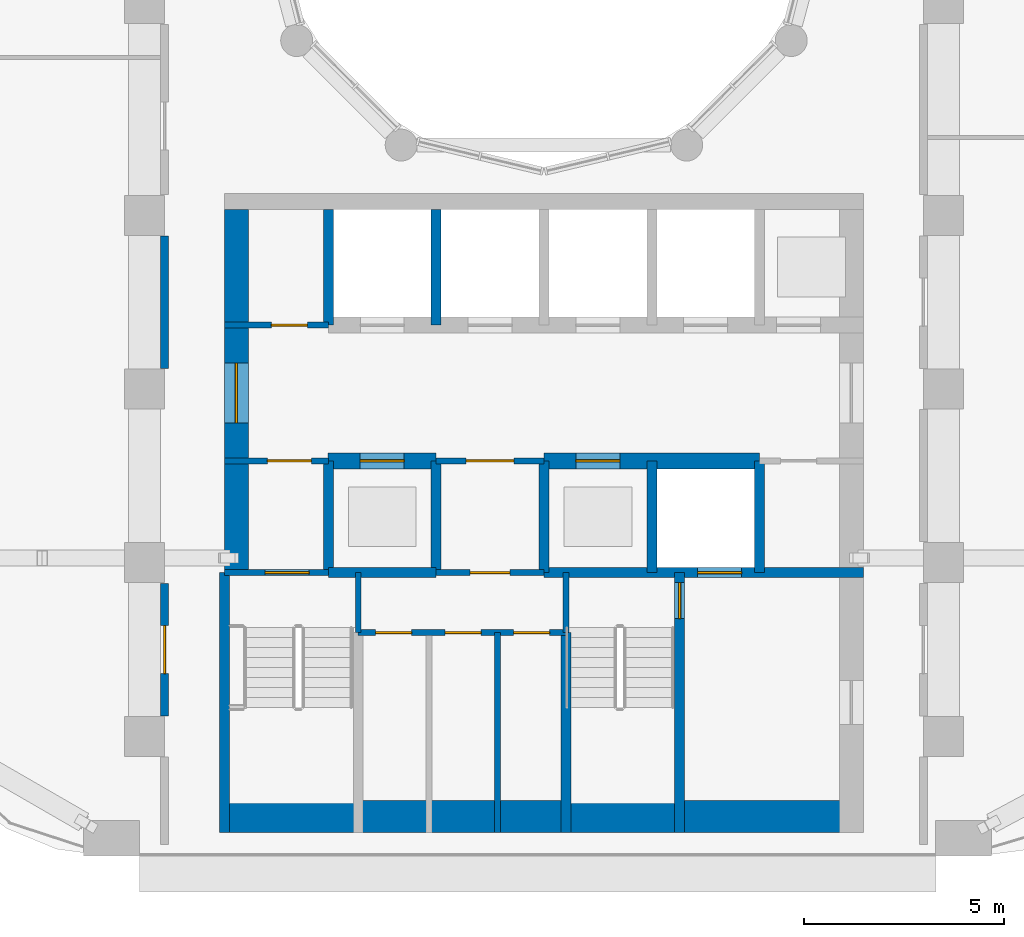
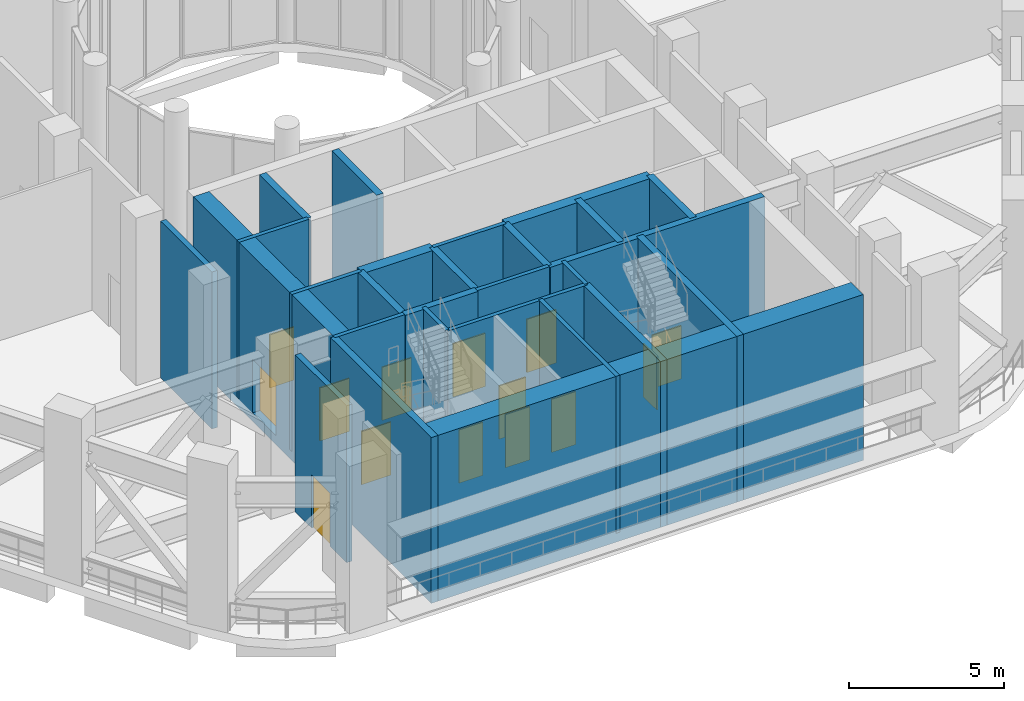
# One storey, part 8 of 21: 27 walls, 14 doors, 14 openings.
"""IFC4 building model written with IfcOpenShell, lengths in metres."""

from ifc_helpers import new_model, si_unit, direction, frame, frame_2d, origin, place, context, subcontext, project, spatial, rectangle, extrude, material, layer, layer_set, type_object, element, fill, save


model = new_model("IFC4")

# Units and contexts
model_context = context("Model", 3, precision=1e-05, world=origin(), true_north=direction((0.0, 1.0)))
body_context = subcontext(model_context, "Body", "Model", "MODEL_VIEW")
ifc_project = project(units=[si_unit("LENGTHUNIT", "METRE"), si_unit("AREAUNIT", "SQUARE_METRE"), si_unit("VOLUMEUNIT", "CUBIC_METRE"), si_unit("PLANEANGLEUNIT", "RADIAN"), si_unit("MASSUNIT", "GRAM", prefix="KILO")], contexts=[model_context])

# Site, building, storey
site_placement = place(None, origin())
site = spatial("IfcSite", under=ifc_project, at=site_placement, CompositionType="ELEMENT")
building_placement = place(site_placement, origin())
building = spatial("IfcBuilding", under=site, at=building_placement, Name="Nakaniwa Court", CompositionType="ELEMENT")
storey_placement = place(building_placement, frame((0.0, 0.0, 120.60009765625)))
storey = spatial("IfcBuildingStorey", under=building, at=storey_placement, Name="S2", CompositionType="ELEMENT", Elevation=120.60009765625)

# Wall, opening, door
ifc_material_1 = material(Name="Acoustic double stud partition")
ifc_layer_1 = layer(ifc_material_1, 0.199951171875)
ifc_layer_set_1 = layer_set([ifc_layer_1], Name="Acoustic double stud partition")
wall_type_1 = type_object("IfcWallType", Name="Acoustic double stud partition 200", PredefinedType="PARTITIONING", material=ifc_layer_set_1)
wall_1_placement = place(storey_placement, frame((70.5, 59.51708984375, 0.0), z_axis=(0.0, 0.0, 1.0), x_axis=(0.0, 1.0, 0.0)))
wall_1 = element("IfcWall", 1, at=wall_1_placement, inside=storey, type_object=wall_type_1, Name="Partition PW-079", PredefinedType="PARTITIONING", context=body_context, shape_type="SweptSolid", body=[
    extrude(rectangle(XDim=3.31591796875, YDim=0.199951171875, at=frame_2d((1.657958984375, 0.0))), origin(), (0.0, 0.0, 1.0), 6.18994140625),
])
opening_1_placement = place(wall_1_placement, frame((1.05810546875, 0.0, 0.0)))
opening_1 = element("IfcOpeningElement", 2, at=opening_1_placement, cuts=wall_1, Name="Opening D-35-03", PredefinedType="OPENING", context=body_context, shape_type="SweptSolid", body=[
    extrude(rectangle(XDim=1.199951171875, YDim=2.10009765625, at=frame_2d((0.60009765625, 1.050048828125))), frame((0.0, 0.10986328125, 0.0), z_axis=(0.0, -1.0, 0.0), x_axis=(1.0, 0.0, 0.0)), (0.0, 0.0, 1.0), 0.219970703125),
])
ifc_material_2 = material(Name="Fire rated steel door set", Category="steel")
door_type_1 = type_object("IfcDoorType", Name="Service room door 1200", OperationType="NOTDEFINED", PredefinedType="DOOR", material=ifc_material_2)
door_1_placement = place(opening_1_placement, origin())
door_1 = element("IfcDoor", 3, at=door_1_placement, inside=storey, type_object=door_type_1, Name="Door D-35-03 S2-026", OperationType="SINGLE_SWING_LEFT", OverallHeight=2.10009765625, OverallWidth=1.199951171875, PredefinedType="DOOR", context=body_context, shape_type="SweptSolid", body=[
    extrude(rectangle(XDim=1.199951171875, YDim=2.10009765625, at=frame_2d((0.60009765625, 1.050048828125))), frame((0.0, 0.02490234375, 0.0), z_axis=(0.0, -1.0, 0.0), x_axis=(1.0, 0.0, 0.0)), (0.0, 0.0, 1.0), 0.050048828125),
])
fill(opening_1, door_1)

# Wall
wall_2_placement = place(storey_placement, frame((70.5, 68.217041015625, 0.0), z_axis=(0.0, 0.0, 1.0), x_axis=(0.0, 1.0, 0.0)))
element("IfcWall", 4, at=wall_2_placement, inside=storey, type_object=wall_type_1, Name="Partition PW-080", PredefinedType="PARTITIONING", context=body_context, shape_type="SweptSolid", body=[
    extrude(rectangle(XDim=3.31591796875, YDim=0.199951171875, at=frame_2d((1.657958984375, 0.0))), origin(), (0.0, 0.0, 1.0), 6.18994140625),
])

# Wall, opening, door
ifc_material_3 = material(Name="Blockwork partition", Category="masonry")
ifc_layer_2 = layer(ifc_material_3, 0.14990234375)
ifc_layer_set_2 = layer_set([ifc_layer_2], Name="Blockwork partition")
wall_type_2 = type_object("IfcWallType", Name="Blockwork partition 150", PredefinedType="PARTITIONING", material=ifc_layer_set_2)
wall_3_placement = place(storey_placement, frame((72.0, 69.300048828125, 0.0), z_axis=(0.0, 0.0, 1.0), x_axis=(1.0, 0.0, 0.0)))
wall_3 = element("IfcWall", 5, at=wall_3_placement, inside=storey, type_object=wall_type_2, Name="Partition PW-035", PredefinedType="PARTITIONING", context=body_context, shape_type="SweptSolid", body=[
    extrude(rectangle(XDim=2.60009765625, YDim=0.14990234375, at=frame_2d((1.300048828125, 0.0))), origin(), (0.0, 0.0, 1.0), 6.18994140625),
])
opening_2_placement = place(wall_3_placement, frame((1.175048828125, 0.0, 0.0)))
opening_2 = element("IfcOpeningElement", 6, at=opening_2_placement, cuts=wall_3, Name="Opening D-05-06", PredefinedType="OPENING", context=body_context, shape_type="SweptSolid", body=[
    extrude(rectangle(XDim=0.89990234375, YDim=2.10009765625, at=frame_2d((0.449951171875, 1.050048828125))), frame((0.0, 0.0849609375, 0.0), z_axis=(0.0, -1.0, 0.0), x_axis=(1.0, 0.0, 0.0)), (0.0, 0.0, 1.0), 0.169921875),
])
door_type_2 = type_object("IfcDoorType", Name="Service room door 900", OperationType="NOTDEFINED", PredefinedType="DOOR", material=ifc_material_2)
door_2_placement = place(opening_2_placement, origin())
door_2 = element("IfcDoor", 7, at=door_2_placement, inside=storey, type_object=door_type_2, Name="Door D-05-06 S2-011", OperationType="SINGLE_SWING_RIGHT", OverallHeight=2.10009765625, OverallWidth=0.89990234375, PredefinedType="DOOR", context=body_context, shape_type="SweptSolid", body=[
    extrude(rectangle(XDim=0.89990234375, YDim=2.10009765625, at=frame_2d((0.449951171875, 1.050048828125))), frame((0.0, 0.02490234375, 0.0), z_axis=(0.0, -1.0, 0.0), x_axis=(1.0, 0.0, 0.0)), (0.0, 0.0, 1.0), 0.050048828125),
])
fill(opening_2, door_2)

wall_4_placement = place(storey_placement, frame((74.60302734375, 65.89990234375, 0.0), z_axis=(0.0, 0.0, 1.0), x_axis=(-1.0, 0.0, 0.0)))
wall_4 = element("IfcWall", 8, at=wall_4_placement, inside=storey, type_object=wall_type_2, Name="Partition PW-047", PredefinedType="PARTITIONING", context=body_context, shape_type="SweptSolid", body=[
    extrude(rectangle(XDim=2.60302734375, YDim=0.14990234375, at=frame_2d((1.301513671875, 0.0))), origin(), (0.0, 0.0, 1.0), 6.18994140625),
])
opening_3_placement = place(wall_4_placement, frame((0.427978515625, 0.0, 0.0)))
opening_3 = element("IfcOpeningElement", 9, at=opening_3_placement, cuts=wall_4, Name="Opening D-08-02", PredefinedType="OPENING", context=body_context, shape_type="SweptSolid", body=[
    extrude(rectangle(XDim=1.10009765625, YDim=2.10009765625, at=frame_2d((0.550048828125, 1.050048828125))), frame((0.0, 0.0849609375, 0.0), z_axis=(0.0, -1.0, 0.0), x_axis=(1.0, 0.0, 0.0)), (0.0, 0.0, 1.0), 0.169921875),
])
door_type_3 = type_object("IfcDoorType", Name="Stair lobby door 1100", OperationType="NOTDEFINED", PredefinedType="DOOR", material=ifc_material_2)
door_3_placement = place(opening_3_placement, origin())
door_3 = element("IfcDoor", 10, at=door_3_placement, inside=storey, type_object=door_type_3, Name="Door D-08-02 S2-012", OperationType="SINGLE_SWING_LEFT", OverallHeight=2.10009765625, OverallWidth=1.10009765625, PredefinedType="DOOR", context=body_context, shape_type="SweptSolid", body=[
    extrude(rectangle(XDim=1.10009765625, YDim=2.10009765625, at=frame_2d((0.550048828125, 1.050048828125))), frame((0.0, 0.02490234375, 0.0), z_axis=(0.0, -1.0, 0.0), x_axis=(1.0, 0.0, 0.0)), (0.0, 0.0, 1.0), 0.050048828125),
])
fill(opening_3, door_3)

wall_5_placement = place(storey_placement, frame((80.0029296875, 65.89990234375, 0.0), z_axis=(0.0, 0.0, 1.0), x_axis=(-1.0, 0.0, 0.0)))
wall_5 = element("IfcWall", 11, at=wall_5_placement, inside=storey, type_object=wall_type_2, Name="Partition PW-048", PredefinedType="PARTITIONING", context=body_context, shape_type="SweptSolid", body=[
    extrude(rectangle(XDim=2.705810546875, YDim=0.14990234375, at=frame_2d((1.35302734375, 0.0))), origin(), (0.0, 0.0, 1.0), 6.18994140625),
])
opening_4_placement = place(wall_5_placement, frame((0.7529296875, 0.0, 0.0)))
opening_4 = element("IfcOpeningElement", 12, at=opening_4_placement, cuts=wall_5, Name="Opening D-06-02", PredefinedType="OPENING", context=body_context, shape_type="SweptSolid", body=[
    extrude(rectangle(XDim=1.199951171875, YDim=2.10009765625, at=frame_2d((0.60009765625, 1.050048828125))), frame((0.0, 0.0849609375, 0.0), z_axis=(0.0, -1.0, 0.0), x_axis=(1.0, 0.0, 0.0)), (0.0, 0.0, 1.0), 0.169921875),
])
ifc_material_4 = material(Name="Fire rated steel double door set", Category="steel")
door_type_4 = type_object("IfcDoorType", Name="Service passage double door 1200", OperationType="NOTDEFINED", PredefinedType="DOOR", material=ifc_material_4)
door_4_placement = place(opening_4_placement, origin())
door_4 = element("IfcDoor", 13, at=door_4_placement, inside=storey, type_object=door_type_4, Name="Door D-06-02 S2-013", OperationType="DOUBLE_DOOR_SINGLE_SWING", OverallHeight=2.10009765625, OverallWidth=1.199951171875, PredefinedType="DOOR", context=body_context, shape_type="SweptSolid", body=[
    extrude(rectangle(XDim=1.199951171875, YDim=2.10009765625, at=frame_2d((0.60009765625, 1.050048828125))), frame((0.0, 0.02490234375, 0.0), z_axis=(0.0, -1.0, 0.0), x_axis=(1.0, 0.0, 0.0)), (0.0, 0.0, 1.0), 0.050048828125),
])
fill(opening_4, door_4)

wall_6_placement = place(storey_placement, frame((80.0, 63.10009765625, 0.0), z_axis=(0.0, 0.0, 1.0), x_axis=(-1.0, 0.0, 0.0)))
wall_6 = element("IfcWall", 14, at=wall_6_placement, inside=storey, type_object=wall_type_2, Name="Partition PW-055", PredefinedType="PARTITIONING", context=body_context, shape_type="SweptSolid", body=[
    extrude(rectangle(XDim=2.699951171875, YDim=0.14990234375, at=frame_2d((1.35009765625, 0.0))), origin(), (0.0, 0.0, 1.0), 6.18994140625),
])
opening_5_placement = place(wall_6_placement, frame((0.85009765625, 0.0, 0.0)))
opening_5 = element("IfcOpeningElement", 15, at=opening_5_placement, cuts=wall_6, Name="Opening D-23-02", PredefinedType="OPENING", context=body_context, shape_type="SweptSolid", body=[
    extrude(rectangle(XDim=1.0, YDim=2.10009765625, at=frame_2d((0.5, 1.050048828125))), frame((0.0, 0.0849609375, 0.0), z_axis=(0.0, -1.0, 0.0), x_axis=(1.0, 0.0, 0.0)), (0.0, 0.0, 1.0), 0.169921875),
])
door_type_5 = type_object("IfcDoorType", Name="Service room door 1000", OperationType="NOTDEFINED", PredefinedType="DOOR", material=ifc_material_2)
door_5_placement = place(opening_5_placement, origin())
door_5 = element("IfcDoor", 16, at=door_5_placement, inside=storey, type_object=door_type_5, Name="Door D-23-02 S2-015", OperationType="SINGLE_SWING_RIGHT", OverallHeight=2.10009765625, OverallWidth=1.0, PredefinedType="DOOR", context=body_context, shape_type="SweptSolid", body=[
    extrude(rectangle(XDim=1.0, YDim=2.10009765625, at=frame_2d((0.5, 1.050048828125))), frame((0.0, 0.02490234375, 0.0), z_axis=(0.0, -1.0, 0.0), x_axis=(1.0, 0.0, 0.0)), (0.0, 0.0, 1.0), 0.050048828125),
])
fill(opening_5, door_5)

# Wall, openings, doors
wall_7_placement = place(storey_placement, frame((80.550048828125, 61.60009765625, 0.0), z_axis=(0.0, 0.0, 1.0), x_axis=(-1.0, 0.0, 0.0)))
wall_7 = element("IfcWall", 17, at=wall_7_placement, inside=storey, type_object=wall_type_2, Name="Partition PW-062", PredefinedType="PARTITIONING", context=body_context, shape_type="SweptSolid", body=[
    extrude(rectangle(XDim=5.199951171875, YDim=0.14990234375, at=frame_2d((2.60009765625, 0.0))), origin(), (0.0, 0.0, 1.0), 6.18994140625),
])
opening_6_placement = place(wall_7_placement, frame((3.865966796875, 0.0, 0.0)))
opening_6 = element("IfcOpeningElement", 18, at=opening_6_placement, cuts=wall_7, Name="Opening D-05-08", PredefinedType="OPENING", context=body_context, shape_type="SweptSolid", body=[
    extrude(rectangle(XDim=0.89990234375, YDim=2.10009765625, at=frame_2d((0.449951171875, 1.050048828125))), frame((0.0, 0.0849609375, 0.0), z_axis=(0.0, -1.0, 0.0), x_axis=(1.0, 0.0, 0.0)), (0.0, 0.0, 1.0), 0.169921875),
])
opening_7_placement = place(wall_7_placement, frame((2.1240234375, 0.0, 0.0)))
opening_7 = element("IfcOpeningElement", 19, at=opening_7_placement, cuts=wall_7, Name="Opening D-05-09", PredefinedType="OPENING", context=body_context, shape_type="SweptSolid", body=[
    extrude(rectangle(XDim=0.89990234375, YDim=2.10009765625, at=frame_2d((0.449951171875, 1.050048828125))), frame((0.0, 0.0849609375, 0.0), z_axis=(0.0, -1.0, 0.0), x_axis=(1.0, 0.0, 0.0)), (0.0, 0.0, 1.0), 0.169921875),
])
opening_8_placement = place(wall_7_placement, frame((0.407958984375, 0.0, 0.0)))
opening_8 = element("IfcOpeningElement", 20, at=opening_8_placement, cuts=wall_7, Name="Opening D-05-10", PredefinedType="OPENING", context=body_context, shape_type="SweptSolid", body=[
    extrude(rectangle(XDim=0.89990234375, YDim=2.10009765625, at=frame_2d((0.449951171875, 1.050048828125))), frame((0.0, 0.0849609375, 0.0), z_axis=(0.0, -1.0, 0.0), x_axis=(1.0, 0.0, 0.0)), (0.0, 0.0, 1.0), 0.169921875),
])
door_6_placement = place(opening_6_placement, origin())
door_6 = element("IfcDoor", 21, at=door_6_placement, inside=storey, type_object=door_type_2, Name="Door D-05-08 S2-016", OperationType="SINGLE_SWING_LEFT", OverallHeight=2.10009765625, OverallWidth=0.89990234375, PredefinedType="DOOR", context=body_context, shape_type="SweptSolid", body=[
    extrude(rectangle(XDim=0.89990234375, YDim=2.10009765625, at=frame_2d((0.449951171875, 1.050048828125))), frame((0.0, 0.02490234375, 0.0), z_axis=(0.0, -1.0, 0.0), x_axis=(1.0, 0.0, 0.0)), (0.0, 0.0, 1.0), 0.050048828125),
])
fill(opening_6, door_6)
door_7_placement = place(opening_7_placement, origin())
door_7 = element("IfcDoor", 22, at=door_7_placement, inside=storey, type_object=door_type_2, Name="Door D-05-09 S2-017", OperationType="SINGLE_SWING_RIGHT", OverallHeight=2.10009765625, OverallWidth=0.89990234375, PredefinedType="DOOR", context=body_context, shape_type="SweptSolid", body=[
    extrude(rectangle(XDim=0.89990234375, YDim=2.10009765625, at=frame_2d((0.449951171875, 1.050048828125))), frame((0.0, 0.02490234375, 0.0), z_axis=(0.0, -1.0, 0.0), x_axis=(1.0, 0.0, 0.0)), (0.0, 0.0, 1.0), 0.050048828125),
])
fill(opening_7, door_7)
door_8_placement = place(opening_8_placement, origin())
door_8 = element("IfcDoor", 23, at=door_8_placement, inside=storey, type_object=door_type_2, Name="Door D-05-10 S2-018", OperationType="SINGLE_SWING_LEFT", OverallHeight=2.10009765625, OverallWidth=0.89990234375, PredefinedType="DOOR", context=body_context, shape_type="SweptSolid", body=[
    extrude(rectangle(XDim=0.89990234375, YDim=2.10009765625, at=frame_2d((0.449951171875, 1.050048828125))), frame((0.0, 0.02490234375, 0.0), z_axis=(0.0, -1.0, 0.0), x_axis=(1.0, 0.0, 0.0)), (0.0, 0.0, 1.0), 0.050048828125),
])
fill(opening_8, door_8)

# Wall
wall_8_placement = place(storey_placement, frame((78.833984375, 56.60009765625, 0.0), z_axis=(0.0, 0.0, 1.0), x_axis=(0.0, 1.0, 0.0)))
element("IfcWall", 24, at=wall_8_placement, inside=storey, type_object=wall_type_2, Name="Partition PW-064", PredefinedType="PARTITIONING", context=body_context, shape_type="SweptSolid", body=[
    extrude(rectangle(XDim=5.0, YDim=0.14990234375, at=frame_2d((2.5, 0.0))), origin(), (0.0, 0.0, 1.0), 6.18994140625),
])

# Wall, opening, door
ifc_material_5 = material(Name="Concrete C80/100", Category="concrete")
ifc_layer_3 = layer(ifc_material_5, 0.60009765625)
ifc_layer_set_3 = layer_set([ifc_layer_3], Name="Concrete C80/100")
wall_type_3 = type_object("IfcWallType", Name="Concrete core side wall 600 C80", PredefinedType="SHEAR", material=ifc_layer_set_3)
wall_9_placement = place(storey_placement, frame((72.300048828125, 63.10009765625, -0.35009765625), z_axis=(0.0, 0.0, 1.0), x_axis=(0.0, 1.0, 0.0)))
wall_9 = element("IfcWall", 25, at=wall_9_placement, inside=storey, type_object=wall_type_3, Name="Core wall SW-36", PredefinedType="SHEAR", context=body_context, shape_type="SweptSolid", body=[
    extrude(rectangle(XDim=9.099853515625, YDim=0.60009765625, at=frame_2d((4.5498046875, 0.0))), origin(), (0.0, 0.0, 1.0), 6.5400390625),
])
opening_9_placement = place(wall_9_placement, frame((3.75, 0.0, 0.35009765625)))
opening_9 = element("IfcOpeningElement", 26, at=opening_9_placement, cuts=wall_9, Name="Opening D-07-04", PredefinedType="OPENING", context=body_context, shape_type="SweptSolid", body=[
    extrude(rectangle(XDim=1.5, YDim=2.10009765625, at=frame_2d((0.75, 1.050048828125))), frame((0.0, 0.31005859375, 0.0), z_axis=(0.0, -1.0, 0.0), x_axis=(1.0, 0.0, 0.0)), (0.0, 0.0, 1.0), 0.6201171875),
])
ifc_material_6 = material(Name="Glazed fire rated steel double door set", Category="steel")
door_type_6 = type_object("IfcDoorType", Name="Lobby double door 1500", OperationType="NOTDEFINED", PredefinedType="DOOR", material=ifc_material_6)
door_9_placement = place(opening_9_placement, origin())
door_9 = element("IfcDoor", 27, at=door_9_placement, inside=storey, type_object=door_type_6, Name="Door D-07-04 S2-035", OperationType="DOUBLE_DOOR_SINGLE_SWING", OverallHeight=2.10009765625, OverallWidth=1.5, PredefinedType="DOOR", context=body_context, shape_type="SweptSolid", body=[
    extrude(rectangle(XDim=1.5, YDim=2.10009765625, at=frame_2d((0.75, 1.050048828125))), frame((0.0, 0.02490234375, 0.0), z_axis=(0.0, -1.0, 0.0), x_axis=(1.0, 0.0, 0.0)), (0.0, 0.0, 1.0), 0.050048828125),
])
fill(opening_9, door_9)

ifc_layer_4 = layer(ifc_material_5, 0.39990234375)
ifc_layer_set_4 = layer_set([ifc_layer_4], Name="Concrete C80/100")
wall_type_4 = type_object("IfcWallType", Name="Concrete core spine wall 400 C80", PredefinedType="SHEAR", material=ifc_layer_set_4)
wall_10_placement = place(storey_placement, frame((74.596923828125, 65.89990234375, -0.35009765625), z_axis=(0.0, 0.0, 1.0), x_axis=(1.0, 0.0, 0.0)))
wall_10 = element("IfcWall", 28, at=wall_10_placement, inside=storey, type_object=wall_type_4, Name="Core wall SW-50", PredefinedType="SHEAR", context=body_context, shape_type="SweptSolid", body=[
    extrude(rectangle(XDim=2.7060546875, YDim=0.39990234375, at=frame_2d((1.35302734375, 0.0))), origin(), (0.0, 0.0, 1.0), 6.5400390625),
])
opening_10_placement = place(wall_10_placement, frame((0.802978515625, 0.0, 0.35009765625)))
opening_10 = element("IfcOpeningElement", 29, at=opening_10_placement, cuts=wall_10, Name="Opening LD14", PredefinedType="OPENING", context=body_context, shape_type="SweptSolid", body=[
    extrude(rectangle(XDim=1.10009765625, YDim=2.10009765625, at=frame_2d((0.550048828125, 1.050048828125))), frame((0.0, 0.2099609375, 0.0), z_axis=(0.0, -1.0, 0.0), x_axis=(1.0, 0.0, 0.0)), (0.0, 0.0, 1.0), 0.419921875),
])
ifc_material_7 = material(Name="Stainless steel sliding lift landing door", Category="steel")
door_type_7 = type_object("IfcDoorType", Name="Lift landing door 1100", OperationType="NOTDEFINED", PredefinedType="DOOR", material=ifc_material_7)
door_10_placement = place(opening_10_placement, origin())
door_10 = element("IfcDoor", 30, at=door_10_placement, inside=storey, type_object=door_type_7, Name="Lift landing door LD14 S2-014", OperationType="SLIDING_TO_LEFT", OverallHeight=2.10009765625, OverallWidth=1.10009765625, PredefinedType="DOOR", context=body_context, shape_type="SweptSolid", body=[
    extrude(rectangle(XDim=1.10009765625, YDim=2.10009765625, at=frame_2d((0.550048828125, 1.050048828125))), frame((0.0, 0.02490234375, 0.0), z_axis=(0.0, -1.0, 0.0), x_axis=(1.0, 0.0, 0.0)), (0.0, 0.0, 1.0), 0.050048828125),
])
fill(opening_10, door_10)

wall_11_placement = place(storey_placement, frame((79.9970703125, 65.89990234375, -0.35009765625), z_axis=(0.0, 0.0, 1.0), x_axis=(1.0, 0.0, 0.0)))
wall_11 = element("IfcWall", 31, at=wall_11_placement, inside=storey, type_object=wall_type_4, Name="Core wall SW-51", PredefinedType="SHEAR", context=body_context, shape_type="SweptSolid", body=[
    extrude(rectangle(XDim=5.406005859375, YDim=0.39990234375, at=frame_2d((2.703125, 0.0))), origin(), (0.0, 0.0, 1.0), 6.5400390625),
])
opening_11_placement = place(wall_11_placement, frame((0.802978515625, 0.0, 0.35009765625)))
opening_11 = element("IfcOpeningElement", 32, at=opening_11_placement, cuts=wall_11, Name="Opening LD15", PredefinedType="OPENING", context=body_context, shape_type="SweptSolid", body=[
    extrude(rectangle(XDim=1.10009765625, YDim=2.10009765625, at=frame_2d((0.550048828125, 1.050048828125))), frame((0.0, 0.2099609375, 0.0), z_axis=(0.0, -1.0, 0.0), x_axis=(1.0, 0.0, 0.0)), (0.0, 0.0, 1.0), 0.419921875),
])
door_11_placement = place(opening_11_placement, origin())
door_11 = element("IfcDoor", 33, at=door_11_placement, inside=storey, type_object=door_type_7, Name="Lift landing door LD15 S2-015", OperationType="SLIDING_TO_LEFT", OverallHeight=2.10009765625, OverallWidth=1.10009765625, PredefinedType="DOOR", context=body_context, shape_type="SweptSolid", body=[
    extrude(rectangle(XDim=1.10009765625, YDim=2.10009765625, at=frame_2d((0.550048828125, 1.050048828125))), frame((0.0, 0.02490234375, 0.0), z_axis=(0.0, -1.0, 0.0), x_axis=(1.0, 0.0, 0.0)), (0.0, 0.0, 1.0), 0.050048828125),
])
fill(opening_11, door_11)

ifc_layer_5 = layer(ifc_material_5, 0.14990234375)
ifc_layer_set_5 = layer_set([ifc_layer_5], Name="Concrete C80/100")
wall_type_5 = type_object("IfcWallType", Name="Concrete core wall 150 C80", PredefinedType="SHEAR", material=ifc_layer_set_5)
wall_12_placement = place(storey_placement, frame((72.0, 63.10009765625, -0.35009765625), z_axis=(0.0, 0.0, 1.0), x_axis=(1.0, 0.0, 0.0)))
wall_12 = element("IfcWall", 34, at=wall_12_placement, inside=storey, type_object=wall_type_5, Name="Core wall SW-52", PredefinedType="SHEAR", context=body_context, shape_type="SweptSolid", body=[
    extrude(rectangle(XDim=2.60009765625, YDim=0.14990234375, at=frame_2d((1.300048828125, 0.0))), origin(), (0.0, 0.0, 1.0), 6.5400390625),
])
opening_12_placement = place(wall_12_placement, frame((1.02001953125, 0.0, 0.35009765625)))
opening_12 = element("IfcOpeningElement", 35, at=opening_12_placement, cuts=wall_12, Name="Opening D-09-02", PredefinedType="OPENING", context=body_context, shape_type="SweptSolid", body=[
    extrude(rectangle(XDim=1.10009765625, YDim=2.10009765625, at=frame_2d((0.550048828125, 1.050048828125))), frame((0.0, 0.0849609375, 0.0), z_axis=(0.0, -1.0, 0.0), x_axis=(1.0, 0.0, 0.0)), (0.0, 0.0, 1.0), 0.169921875),
])
door_type_8 = type_object("IfcDoorType", Name="Stair door 1100", OperationType="NOTDEFINED", PredefinedType="DOOR", material=ifc_material_2)
door_12_placement = place(opening_12_placement, origin())
door_12 = element("IfcDoor", 36, at=door_12_placement, inside=storey, type_object=door_type_8, Name="Door D-09-02 S2-019", OperationType="SINGLE_SWING_LEFT", OverallHeight=2.10009765625, OverallWidth=1.10009765625, PredefinedType="DOOR", context=body_context, shape_type="SweptSolid", body=[
    extrude(rectangle(XDim=1.10009765625, YDim=2.10009765625, at=frame_2d((0.550048828125, 1.050048828125))), frame((0.0, 0.02490234375, 0.0), z_axis=(0.0, -1.0, 0.0), x_axis=(1.0, 0.0, 0.0)), (0.0, 0.0, 1.0), 0.050048828125),
])
fill(opening_12, door_12)

# Walls
for number, where, z_axis, x_axis, name in (
    (37, (75.35009765625, 61.596923828125, -0.35009765625), (0.0, 0.0, 1.0), (0.0, 1.0, 0.0), "Core wall SW-56"),
    (38, (80.550048828125, 61.596923828125, -0.35009765625), (0.0, 0.0, 1.0), (0.0, 1.0, 0.0), "Core wall SW-60"),
):
    element("IfcWall", number, at=place(storey_placement, frame(where, z_axis=z_axis, x_axis=x_axis)), inside=storey, type_object=wall_type_5, Name=name, PredefinedType="SHEAR", context=body_context, shape_type="SweptSolid", body=[
        extrude(rectangle(XDim=1.503173828125, YDim=0.14990234375, at=frame_2d((0.75146484375, 0.0))), origin(), (0.0, 0.0, 1.0), 6.5400390625),
    ])
ifc_layer_6 = layer(ifc_material_5, 0.25)
ifc_layer_set_6 = layer_set([ifc_layer_6], Name="Concrete C80/100")
wall_type_6 = type_object("IfcWallType", Name="Concrete core wall 250 C80", PredefinedType="SHEAR", material=ifc_layer_set_6)
wall_13_placement = place(storey_placement, frame((72.0, 56.60009765625, -0.35009765625), z_axis=(0.0, 0.0, 1.0), x_axis=(0.0, 1.0, 0.0)))
element("IfcWall", 39, at=wall_13_placement, inside=storey, type_object=wall_type_6, Name="Core wall SW-58", PredefinedType="SHEAR", context=body_context, shape_type="SweptSolid", body=[
    extrude(rectangle(XDim=6.5, YDim=0.25, at=frame_2d((3.25, 0.0))), origin(), (0.0, 0.0, 1.0), 6.5400390625),
])
ifc_layer_7 = layer(ifc_material_5, 0.800048828125)
ifc_layer_set_7 = layer_set([ifc_layer_7], Name="Concrete C80/100")
wall_type_7 = type_object("IfcWallType", Name="Concrete core wall 800 C80", PredefinedType="SHEAR", material=ifc_layer_set_7)
wall_14_placement = place(storey_placement, frame((72.00390625, 57.0, -0.35009765625), z_axis=(0.0, 0.0, 1.0), x_axis=(1.0, 0.0, 0.0)))
element("IfcWall", 40, at=wall_14_placement, inside=storey, type_object=wall_type_7, Name="Core wall SW-94", PredefinedType="SHEAR", context=body_context, shape_type="SweptSolid", body=[
    extrude(rectangle(XDim=15.9921875, YDim=0.800048828125, at=frame_2d((7.99609375, 0.0))), origin(), (0.0, 0.0, 1.0), 6.5400390625),
])
ifc_layer_8 = layer(ifc_material_5, 0.25)
ifc_layer_set_8 = layer_set([ifc_layer_8], Name="Concrete C80/100")
wall_type_8 = type_object("IfcWallType", Name="Concrete shaft wall 250 C80", PredefinedType="SHEAR", material=ifc_layer_set_8)
wall_15_placement = place(storey_placement, frame((74.60009765625, 63.10009765625, -0.35009765625), z_axis=(0.0, 0.0, 1.0), x_axis=(0.0, 1.0, 0.0)))
element("IfcWall", 41, at=wall_15_placement, inside=storey, type_object=wall_type_8, Name="Core wall SW-33", PredefinedType="SHEAR", context=body_context, shape_type="SweptSolid", body=[
    extrude(rectangle(XDim=2.7998046875, YDim=0.25, at=frame_2d((1.39990234375, 0.0))), origin(), (0.0, 0.0, 1.0), 6.5400390625),
])
wall_16_placement = place(storey_placement, frame((74.60009765625, 69.300048828125, -0.35009765625), z_axis=(0.0, 0.0, 1.0), x_axis=(0.0, 1.0, 0.0)))
element("IfcWall", 42, at=wall_16_placement, inside=storey, type_object=wall_type_8, Name="Core wall SW-34", PredefinedType="SHEAR", context=body_context, shape_type="SweptSolid", body=[
    extrude(rectangle(XDim=2.89990234375, YDim=0.25, at=frame_2d((1.449951171875, 0.0))), origin(), (0.0, 0.0, 1.0), 6.5400390625),
])
wall_17_placement = place(storey_placement, frame((77.300048828125, 63.10009765625, -0.35009765625), z_axis=(0.0, 0.0, 1.0), x_axis=(0.0, 1.0, 0.0)))
element("IfcWall", 43, at=wall_17_placement, inside=storey, type_object=wall_type_8, Name="Core wall SW-37", PredefinedType="SHEAR", context=body_context, shape_type="SweptSolid", body=[
    extrude(rectangle(XDim=2.7998046875, YDim=0.25, at=frame_2d((1.39990234375, 0.0))), origin(), (0.0, 0.0, 1.0), 6.5400390625),
])
wall_18_placement = place(storey_placement, frame((77.300048828125, 69.300048828125, -0.35009765625), z_axis=(0.0, 0.0, 1.0), x_axis=(0.0, 1.0, 0.0)))
element("IfcWall", 44, at=wall_18_placement, inside=storey, type_object=wall_type_8, Name="Core wall SW-38", PredefinedType="SHEAR", context=body_context, shape_type="SweptSolid", body=[
    extrude(rectangle(XDim=2.89990234375, YDim=0.25, at=frame_2d((1.449951171875, 0.0))), origin(), (0.0, 0.0, 1.0), 6.5400390625),
])
for number, where, z_axis, x_axis, name in (
    (45, (80.0, 63.10009765625, -0.35009765625), (0.0, 0.0, 1.0), (0.0, 1.0, 0.0), "Core wall SW-40"),
    (46, (82.699951171875, 63.10009765625, -0.35009765625), (0.0, 0.0, 1.0), (0.0, 1.0, 0.0), "Core wall SW-42"),
    (47, (85.39990234375, 63.10009765625, -0.35009765625), (0.0, 0.0, 1.0), (0.0, 1.0, 0.0), "Core wall SW-44"),
):
    element("IfcWall", number, at=place(storey_placement, frame(where, z_axis=z_axis, x_axis=x_axis)), inside=storey, type_object=wall_type_8, Name=name, PredefinedType="SHEAR", context=body_context, shape_type="SweptSolid", body=[
        extrude(rectangle(XDim=2.7998046875, YDim=0.25, at=frame_2d((1.39990234375, 0.0))), origin(), (0.0, 0.0, 1.0), 6.5400390625),
    ])
wall_19_placement = place(storey_placement, frame((74.60009765625, 63.10009765625, -0.35009765625), z_axis=(0.0, 0.0, 1.0), x_axis=(1.0, 0.0, 0.0)))
element("IfcWall", 48, at=wall_19_placement, inside=storey, type_object=wall_type_8, Name="Core wall SW-53", PredefinedType="SHEAR", context=body_context, shape_type="SweptSolid", body=[
    extrude(rectangle(XDim=2.699951171875, YDim=0.25, at=frame_2d((1.35009765625, 0.0))), origin(), (0.0, 0.0, 1.0), 6.5400390625),
])

# Wall, opening, door
wall_20_placement = place(storey_placement, frame((80.0, 63.10009765625, -0.35009765625), z_axis=(0.0, 0.0, 1.0), x_axis=(1.0, 0.0, 0.0)))
wall_20 = element("IfcWall", 49, at=wall_20_placement, inside=storey, type_object=wall_type_8, Name="Core wall SW-54", PredefinedType="SHEAR", context=body_context, shape_type="SweptSolid", body=[
    extrude(rectangle(XDim=8.0, YDim=0.25, at=frame_2d((4.0, 0.0))), origin(), (0.0, 0.0, 1.0), 6.5400390625),
])
opening_13_placement = place(wall_20_placement, frame((3.84912109375, 0.0, 0.35009765625)))
opening_13 = element("IfcOpeningElement", 50, at=opening_13_placement, cuts=wall_20, Name="Opening LD16", PredefinedType="OPENING", context=body_context, shape_type="SweptSolid", body=[
    extrude(rectangle(XDim=1.10009765625, YDim=2.10009765625, at=frame_2d((0.550048828125, 1.050048828125))), frame((0.0, 0.135009765625, 0.0), z_axis=(0.0, -1.0, 0.0), x_axis=(1.0, 0.0, 0.0)), (0.0, 0.0, 1.0), 0.27001953125),
])
door_13_placement = place(opening_13_placement, origin())
door_13 = element("IfcDoor", 51, at=door_13_placement, inside=storey, type_object=door_type_7, Name="Lift landing door LD16 S2-016", OperationType="SLIDING_TO_LEFT", OverallHeight=2.10009765625, OverallWidth=1.10009765625, PredefinedType="DOOR", context=body_context, shape_type="SweptSolid", body=[
    extrude(rectangle(XDim=1.10009765625, YDim=2.10009765625, at=frame_2d((0.550048828125, 1.050048828125))), frame((0.0, 0.02490234375, 0.0), z_axis=(0.0, -1.0, 0.0), x_axis=(1.0, 0.0, 0.0)), (0.0, 0.0, 1.0), 0.050048828125),
])
fill(opening_13, door_13)

wall_21_placement = place(storey_placement, frame((83.39990234375, 63.10009765625, -0.35009765625), z_axis=(0.0, 0.0, 1.0), x_axis=(0.0, -1.0, 0.0)))
wall_21 = element("IfcWall", 52, at=wall_21_placement, inside=storey, type_object=wall_type_8, Name="Core wall SW-59", PredefinedType="SHEAR", context=body_context, shape_type="SweptSolid", body=[
    extrude(rectangle(XDim=6.5, YDim=0.25, at=frame_2d((3.25, 0.0))), origin(), (0.0, 0.0, 1.0), 6.5400390625),
])
opening_14_placement = place(wall_21_placement, frame((0.25, 0.0, 0.35009765625)))
opening_14 = element("IfcOpeningElement", 53, at=opening_14_placement, cuts=wall_21, Name="Opening D-11-02", PredefinedType="OPENING", context=body_context, shape_type="SweptSolid", body=[
    extrude(rectangle(XDim=0.89990234375, YDim=2.10009765625, at=frame_2d((0.449951171875, 1.050048828125))), frame((0.0, 0.135009765625, 0.0), z_axis=(0.0, -1.0, 0.0), x_axis=(1.0, 0.0, 0.0)), (0.0, 0.0, 1.0), 0.27001953125),
])
door_type_9 = type_object("IfcDoorType", Name="Stair door 900", OperationType="NOTDEFINED", PredefinedType="DOOR", material=ifc_material_2)
door_14_placement = place(opening_14_placement, origin())
door_14 = element("IfcDoor", 54, at=door_14_placement, inside=storey, type_object=door_type_9, Name="Door D-11-02 S2-020", OperationType="SINGLE_SWING_RIGHT", OverallHeight=2.10009765625, OverallWidth=0.89990234375, PredefinedType="DOOR", context=body_context, shape_type="SweptSolid", body=[
    extrude(rectangle(XDim=0.89990234375, YDim=2.10009765625, at=frame_2d((0.449951171875, 1.050048828125))), frame((0.0, 0.02490234375, 0.0), z_axis=(0.0, -1.0, 0.0), x_axis=(1.0, 0.0, 0.0)), (0.0, 0.0, 1.0), 0.050048828125),
])
fill(opening_14, door_14)

# Wall
wall_22_placement = place(storey_placement, frame((80.550048828125, 56.60009765625, -0.35009765625), z_axis=(0.0, 0.0, 1.0), x_axis=(0.0, 1.0, 0.0)))
element("IfcWall", 55, at=wall_22_placement, inside=storey, type_object=wall_type_8, Name="Core wall SW-61", PredefinedType="SHEAR", context=body_context, shape_type="SweptSolid", body=[
    extrude(rectangle(XDim=5.0029296875, YDim=0.25, at=frame_2d((2.50146484375, 0.0))), origin(), (0.0, 0.0, 1.0), 6.5400390625),
])

save(model, "model.ifc")
